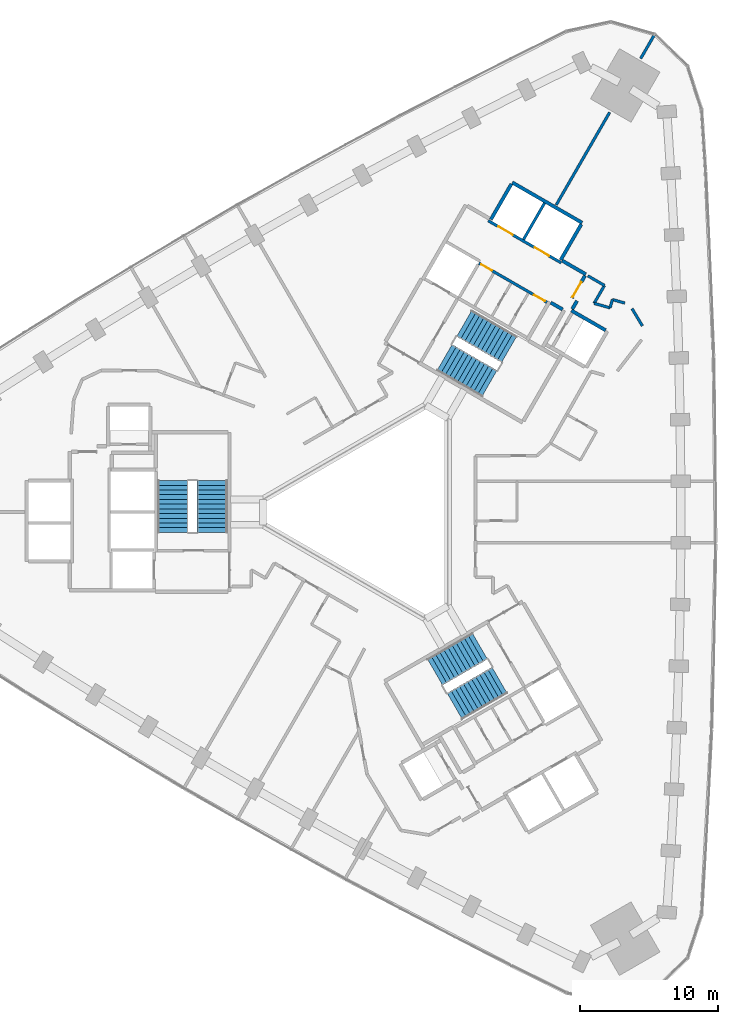
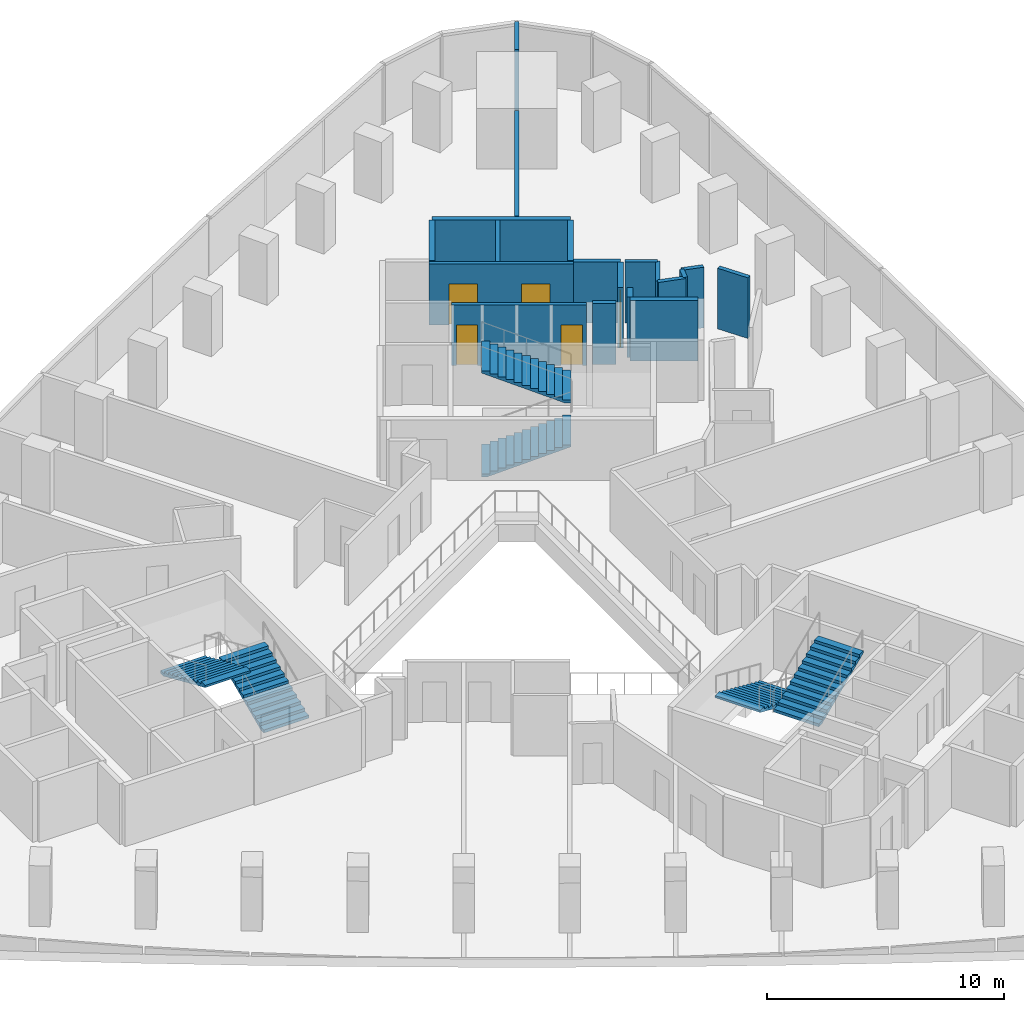
# One storey, part 12 of 13: 19 walls, 6 stair flights, 5 doors, 5 openings, 3 elements without a shape of their own.
"""IFC4 building model written with IfcOpenShell, lengths in metres."""

from ifc_helpers import new_model, si_unit, direction, frame, frame_2d, origin, place, context, subcontext, project, spatial, polyline, rectangle, outline, extrude, material, layer, layer_set, type_object, element, fill, aggregate, save


model = new_model("IFC4")

# Units and contexts
model_context = context("Model", 3, precision=1e-05, world=origin(), true_north=direction((0.0, 1.0)))
body_context = subcontext(model_context, "Body", "Model", "MODEL_VIEW")
ifc_project = project(units=[si_unit("LENGTHUNIT", "METRE"), si_unit("AREAUNIT", "SQUARE_METRE"), si_unit("VOLUMEUNIT", "CUBIC_METRE"), si_unit("PLANEANGLEUNIT", "RADIAN"), si_unit("MASSUNIT", "GRAM", prefix="KILO")], contexts=[model_context])

# Site, building, storey
site_placement = place(None, origin())
site = spatial("IfcSite", under=ifc_project, at=site_placement, CompositionType="ELEMENT")
building_placement = place(site_placement, origin())
building = spatial("IfcBuilding", under=site, at=building_placement, Name="Tamra Quay Hotel Tower", CompositionType="ELEMENT")
storey_placement = place(building_placement, frame((0.0, 0.0, 49.39990234375)))
storey = spatial("IfcBuildingStorey", under=building, at=storey_placement, Name="L10", CompositionType="ELEMENT", Elevation=49.39990234375)

# Wall, openings, doors
ifc_material_1 = material(Name="Concrete M70", Category="concrete")
ifc_layer_1 = layer(ifc_material_1, 0.199951171875)
ifc_layer_set_1 = layer_set([ifc_layer_1], Name="Concrete M70 core wall 200")
wall_type_1 = type_object("IfcWallType", Name="Concrete M70 core wall 200", PredefinedType="SHEAR", material=ifc_layer_set_1)
wall_1_placement = place(storey_placement, frame((13.209716796875, 18.07958984375, 0.0), z_axis=(0.0, 0.0, 1.0), x_axis=(-0.866030299012, 0.499991521122, 0.0)))
wall_1 = element("IfcWall", 1, at=wall_1_placement, inside=storey, type_object=wall_type_1, Name="CW2", PredefinedType="SHEAR", context=body_context, shape_type="SweptSolid", body=[
    extrude(rectangle(XDim=6.10009765625, YDim=0.199951171875, at=frame_2d((3.050048828125, 0.0))), origin(), (0.0, 0.0, 1.0), 3.125),
])
opening_1_placement = place(wall_1_placement, frame((1.0, 0.0, 0.0)))
opening_1 = element("IfcOpeningElement", 2, at=opening_1_placement, cuts=wall_1, Name="Opening LD", PredefinedType="OPENING", context=body_context, shape_type="SweptSolid", body=[
    extrude(rectangle(XDim=1.199951171875, YDim=2.10009765625, at=frame_2d((0.60009765625, 1.050048828125))), frame((0.0, 0.10986328125, 0.0), z_axis=(0.0, -1.0, 0.0), x_axis=(1.0, 0.0, 0.0)), (0.0, 0.0, 1.0), 0.219970703125),
])
opening_2_placement = place(wall_1_placement, frame((4.05029296875, 0.0, 0.0)))
opening_2 = element("IfcOpeningElement", 3, at=opening_2_placement, cuts=wall_1, Name="Opening LD", PredefinedType="OPENING", context=body_context, shape_type="SweptSolid", body=[
    extrude(rectangle(XDim=1.199951171875, YDim=2.10009765625, at=frame_2d((0.60009765625, 1.050048828125))), frame((0.0, 0.10986328125, 0.0), z_axis=(0.0, -1.0, 0.0), x_axis=(1.0, 0.0, 0.0)), (0.0, 0.0, 1.0), 0.219970703125),
])
ifc_material_2 = material(Name="Landing door LD 1200 double door sliding")
door_type_1 = type_object("IfcDoorType", Name="Landing door LD 1200 double door sliding", OperationType="DOUBLE_DOOR_SLIDING", PredefinedType="DOOR", material=ifc_material_2)
door_1_placement = place(opening_1_placement, origin())
door_1 = element("IfcDoor", 4, at=door_1_placement, inside=storey, type_object=door_type_1, Name="LD", OperationType="DOUBLE_DOOR_SLIDING", OverallHeight=2.10009765625, OverallWidth=1.199951171875, PredefinedType="DOOR", context=body_context, shape_type="SweptSolid", body=[
    extrude(rectangle(XDim=1.199951171875, YDim=2.10009765625, at=frame_2d((0.60009765625, 1.050048828125))), frame((0.0, 0.02490234375, 0.0), z_axis=(0.0, -1.0, 0.0), x_axis=(1.0, 0.0, 0.0)), (0.0, 0.0, 1.0), 0.050048828125),
])
fill(opening_1, door_1)
door_2_placement = place(opening_2_placement, origin())
door_2 = element("IfcDoor", 5, at=door_2_placement, inside=storey, type_object=door_type_1, Name="LD", OperationType="DOUBLE_DOOR_SLIDING", OverallHeight=2.10009765625, OverallWidth=1.199951171875, PredefinedType="DOOR", context=body_context, shape_type="SweptSolid", body=[
    extrude(rectangle(XDim=1.199951171875, YDim=2.10009765625, at=frame_2d((0.60009765625, 1.050048828125))), frame((0.0, 0.02490234375, 0.0), z_axis=(0.0, -1.0, 0.0), x_axis=(1.0, 0.0, 0.0)), (0.0, 0.0, 1.0), 0.050048828125),
])
fill(opening_2, door_2)

wall_2_placement = place(storey_placement, frame((12.18505859375, 15.20703125, 0.0), z_axis=(0.0, 0.0, 1.0), x_axis=(-0.866020080793, 0.500009219579, 0.0)))
wall_2 = element("IfcWall", 6, at=wall_2_placement, inside=storey, type_object=wall_type_1, Name="CW2", PredefinedType="SHEAR", context=body_context, shape_type="SweptSolid", body=[
    extrude(rectangle(XDim=5.69921875, YDim=0.199951171875, at=frame_2d((2.849609375, 0.0))), origin(), (0.0, 0.0, 1.0), 3.125),
])
opening_3_placement = place(wall_2_placement, frame((0.174072265625, 0.0, 0.0)))
opening_3 = element("IfcOpeningElement", 7, at=opening_3_placement, cuts=wall_2, Name="Opening D2", PredefinedType="OPENING", context=body_context, shape_type="SweptSolid", body=[
    extrude(rectangle(XDim=0.89990234375, YDim=2.10009765625, at=frame_2d((0.449951171875, 1.050048828125))), frame((0.0, 0.10986328125, 0.0), z_axis=(0.0, -1.0, 0.0), x_axis=(1.0, 0.0, 0.0)), (0.0, 0.0, 1.0), 0.219970703125),
])
opening_4_placement = place(wall_2_placement, frame((4.59912109375, 0.0, 0.0)))
opening_4 = element("IfcOpeningElement", 8, at=opening_4_placement, cuts=wall_2, Name="Opening D2", PredefinedType="OPENING", context=body_context, shape_type="SweptSolid", body=[
    extrude(rectangle(XDim=0.89990234375, YDim=2.10009765625, at=frame_2d((0.449951171875, 1.050048828125))), frame((0.0, 0.10986328125, 0.0), z_axis=(0.0, -1.0, 0.0), x_axis=(1.0, 0.0, 0.0)), (0.0, 0.0, 1.0), 0.219970703125),
])
ifc_material_3 = material(Name="Core door D2 900x2100 LH")
door_type_2 = type_object("IfcDoorType", Name="Core door D2 900x2100 LH", OperationType="NOTDEFINED", PredefinedType="DOOR", material=ifc_material_3)
door_3_placement = place(opening_3_placement, origin())
door_3 = element("IfcDoor", 9, at=door_3_placement, inside=storey, type_object=door_type_2, Name="D2", OperationType="SINGLE_SWING_LEFT", OverallHeight=2.10009765625, OverallWidth=0.89990234375, PredefinedType="DOOR", context=body_context, shape_type="SweptSolid", body=[
    extrude(rectangle(XDim=0.89990234375, YDim=2.10009765625, at=frame_2d((0.449951171875, 1.050048828125))), frame((0.0, 0.02490234375, 0.0), z_axis=(0.0, -1.0, 0.0), x_axis=(1.0, 0.0, 0.0)), (0.0, 0.0, 1.0), 0.050048828125),
])
fill(opening_3, door_3)
ifc_material_4 = material(Name="Core door D2 900x2100 RH")
door_type_3 = type_object("IfcDoorType", Name="Core door D2 900x2100 RH", OperationType="NOTDEFINED", PredefinedType="DOOR", material=ifc_material_4)
door_4_placement = place(opening_4_placement, origin())
door_4 = element("IfcDoor", 10, at=door_4_placement, inside=storey, type_object=door_type_3, Name="D2", OperationType="SINGLE_SWING_RIGHT", OverallHeight=2.10009765625, OverallWidth=0.89990234375, PredefinedType="DOOR", context=body_context, shape_type="SweptSolid", body=[
    extrude(rectangle(XDim=0.89990234375, YDim=2.10009765625, at=frame_2d((0.449951171875, 1.050048828125))), frame((0.0, 0.02490234375, 0.0), z_axis=(0.0, -1.0, 0.0), x_axis=(1.0, 0.0, 0.0)), (0.0, 0.0, 1.0), 0.050048828125),
])
fill(opening_4, door_4)

# Walls
wall_3_placement = place(storey_placement, frame((10.48876953125, 19.76708984375, 0.0), z_axis=(0.0, 0.0, 1.0), x_axis=(0.499946628782, 0.866056215479, 0.0)))
element("IfcWall", 11, at=wall_3_placement, inside=storey, type_object=wall_type_1, Name="CW2", PredefinedType="SHEAR", context=body_context, shape_type="SweptSolid", body=[
    extrude(rectangle(XDim=3.048095703125, YDim=0.199951171875, at=frame_2d((1.52392578125, 0.0))), origin(), (0.0, 0.0, 1.0), 3.125),
])
ifc_layer_2 = layer(ifc_material_1, 0.25)
ifc_layer_set_2 = layer_set([ifc_layer_2], Name="Concrete M70 core wall 250")
wall_type_2 = type_object("IfcWallType", Name="Concrete M70 core wall 250", PredefinedType="SHEAR", material=ifc_layer_set_2)
wall_4_placement = place(storey_placement, frame((9.672607421875, 23.9033203125, 0.0), z_axis=(0.0, 0.0, 1.0), x_axis=(0.86603616409, -0.499981362141, 0.0)))
element("IfcWall", 12, at=wall_4_placement, inside=storey, type_object=wall_type_2, Name="CW1", PredefinedType="SHEAR", context=body_context, shape_type="SweptSolid", body=[
    extrude(rectangle(XDim=5.849853515625, YDim=0.25, at=frame_2d((2.9248046875, 0.0))), origin(), (0.0, 0.0, 1.0), 3.125),
])
for number, where, z_axis, x_axis, name in (
    (13, (8.12255859375, 21.21875, 0.0), (0.0, 0.0, 1.0), (0.499987686533, 0.866032512851, 0.0), "CW1"),
    (14, (14.67626953125, 20.869873046875, 0.0), (0.0, 0.0, 1.0), (-0.499987686533, -0.866032512851, 0.0), "CW1"),
):
    element("IfcWall", number, at=place(storey_placement, frame(where, z_axis=z_axis, x_axis=x_axis)), inside=storey, type_object=wall_type_2, Name=name, PredefinedType="SHEAR", context=body_context, shape_type="SweptSolid", body=[
        extrude(rectangle(XDim=2.974609375, YDim=0.25, at=frame_2d((1.4873046875, 0.0))), origin(), (0.0, 0.0, 1.0), 3.125),
    ])
wall_5_placement = place(storey_placement, frame((13.962646484375, 14.61376953125, 0.0), z_axis=(0.0, 0.0, 1.0), x_axis=(0.866042235819, -0.499970844928, 0.0)))
element("IfcWall", 15, at=wall_5_placement, inside=storey, type_object=wall_type_2, Name="CW1", PredefinedType="SHEAR", context=body_context, shape_type="SweptSolid", body=[
    extrude(rectangle(XDim=2.864501953125, YDim=0.25, at=frame_2d((1.43212890625, 0.0))), origin(), (0.0, 0.0, 1.0), 3.125),
])
wall_6_placement = place(storey_placement, frame((13.29736328125, 18.23095703125, 0.0), z_axis=(0.0, 0.0, 1.0), x_axis=(0.866043531843, -0.499968599967, 0.0)))
element("IfcWall", 16, at=wall_6_placement, inside=storey, type_object=wall_type_2, Name="CW1", PredefinedType="SHEAR", context=body_context, shape_type="SweptSolid", body=[
    extrude(rectangle(XDim=1.974853515625, YDim=0.25, at=frame_2d((0.9873046875, 0.0))), origin(), (0.0, 0.0, 1.0), 3.125),
])

# Wall, opening, door
wall_7_placement = place(storey_placement, frame((14.94482421875, 17.13525390625, 0.0), z_axis=(0.0, 0.0, 1.0), x_axis=(-0.499983108224, -0.866035156036, 0.0)))
wall_7 = element("IfcWall", 17, at=wall_7_placement, inside=storey, type_object=wall_type_2, Name="CW1", PredefinedType="SHEAR", context=body_context, shape_type="SweptSolid", body=[
    extrude(rectangle(XDim=1.86474609375, YDim=0.25, at=frame_2d((0.932373046875, 0.0))), origin(), (0.0, 0.0, 1.0), 3.125),
])
opening_5_placement = place(wall_7_placement, frame((0.53466796875, 0.0, 0.0)))
opening_5 = element("IfcOpeningElement", 18, at=opening_5_placement, cuts=wall_7, Name="Opening FD3", PredefinedType="OPENING", context=body_context, shape_type="SweptSolid", body=[
    extrude(rectangle(XDim=1.25, YDim=2.10009765625, at=frame_2d((0.625, 1.050048828125))), frame((0.0, 0.135009765625, 0.0), z_axis=(0.0, -1.0, 0.0), x_axis=(1.0, 0.0, 0.0)), (0.0, 0.0, 1.0), 0.27001953125),
])
ifc_material_5 = material(Name="Core door FD3 1250x2100 LH")
door_type_4 = type_object("IfcDoorType", Name="Core door FD3 1250x2100 LH", OperationType="NOTDEFINED", PredefinedType="DOOR", material=ifc_material_5)
door_5_placement = place(opening_5_placement, origin())
door_5 = element("IfcDoor", 19, at=door_5_placement, inside=storey, type_object=door_type_4, Name="FD3", OperationType="SINGLE_SWING_LEFT", OverallHeight=2.10009765625, OverallWidth=1.25, PredefinedType="DOOR", context=body_context, shape_type="SweptSolid", body=[
    extrude(rectangle(XDim=1.25, YDim=2.10009765625, at=frame_2d((0.625, 1.050048828125))), frame((0.0, 0.02490234375, 0.0), z_axis=(0.0, -1.0, 0.0), x_axis=(1.0, 0.0, 0.0)), (0.0, 0.0, 1.0), 0.050048828125),
])
fill(opening_5, door_5)

# Walls
wall_8_placement = place(storey_placement, frame((13.322021484375, 14.695068359375, 0.0), z_axis=(0.0, 0.0, 1.0), x_axis=(-0.866017078145, 0.500014420154, 0.0)))
element("IfcWall", 20, at=wall_8_placement, inside=storey, type_object=wall_type_2, Name="CW1", PredefinedType="SHEAR", context=body_context, shape_type="SweptSolid", body=[
    extrude(rectangle(XDim=0.9892578125, YDim=0.25, at=frame_2d((0.49462890625, 0.0))), origin(), (0.0, 0.0, 1.0), 3.125),
])
wall_9_placement = place(storey_placement, frame((14.36767578125, 15.3154296875, 0.0), z_axis=(0.0, 0.0, 1.0), x_axis=(-0.499897359611, -0.866084655132, 0.0)))
element("IfcWall", 21, at=wall_9_placement, inside=storey, type_object=wall_type_2, Name="CW1", PredefinedType="SHEAR", context=body_context, shape_type="SweptSolid", body=[
    extrude(rectangle(XDim=0.684814453125, YDim=0.25, at=frame_2d((0.34228515625, 0.0))), origin(), (0.0, 0.0, 1.0), 3.125),
])
ifc_material_6 = material(Name="Partition corridor wall")
ifc_layer_3 = layer(ifc_material_6, 0.199951171875)
ifc_layer_set_3 = layer_set([ifc_layer_3], Name="Partition corridor wall")
wall_type_3 = type_object("IfcWallType", Name="Partition corridor wall", PredefinedType="PARTITIONING", material=ifc_layer_set_3)
wall_10_placement = place(storey_placement, frame((15.155517578125, 17.130126953125, 0.0), z_axis=(0.0, 0.0, 1.0), x_axis=(0.865755062894, -0.500467952093, 0.0)))
element("IfcWall", 22, at=wall_10_placement, inside=storey, type_object=wall_type_3, Name="W-C", PredefinedType="PARTITIONING", context=body_context, shape_type="SweptSolid", body=[
    extrude(rectangle(XDim=1.388916015625, YDim=0.199951171875, at=frame_2d((0.6943359375, 0.0))), origin(), (0.0, 0.0, 1.0), 3.125),
])
wall_11_placement = place(storey_placement, frame((15.60888671875, 15.135986328125, 0.0), z_axis=(0.0, 0.0, 1.0), x_axis=(0.499501622561, 0.866312950993, 0.0)))
element("IfcWall", 23, at=wall_11_placement, inside=storey, type_object=wall_type_3, Name="W-C", PredefinedType="PARTITIONING", context=body_context, shape_type="SweptSolid", body=[
    extrude(rectangle(XDim=1.49951171875, YDim=0.199951171875, at=frame_2d((0.749755859375, 0.0))), origin(), (0.0, 0.0, 1.0), 3.125),
])
wall_12_placement = place(storey_placement, frame((15.60888671875, 15.135986328125, 0.0), z_axis=(0.0, 0.0, 1.0), x_axis=(0.961662011825, -0.274237442763, 0.0)))
element("IfcWall", 24, at=wall_12_placement, inside=storey, type_object=wall_type_3, Name="W-C", PredefinedType="PARTITIONING", context=body_context, shape_type="SweptSolid", body=[
    extrude(rectangle(XDim=1.199951171875, YDim=0.199951171875, at=frame_2d((0.60009765625, 0.0))), origin(), (0.0, 0.0, 1.0), 3.125),
])
wall_13_placement = place(storey_placement, frame((16.762939453125, 14.806884765625, 0.0), z_axis=(0.0, 0.0, 1.0), x_axis=(0.274464026122, 0.961597368115, 0.0)))
element("IfcWall", 25, at=wall_13_placement, inside=storey, type_object=wall_type_3, Name="W-C", PredefinedType="PARTITIONING", context=body_context, shape_type="SweptSolid", body=[
    extrude(rectangle(XDim=0.627197265625, YDim=0.199951171875, at=frame_2d((0.3134765625, 0.0))), origin(), (0.0, 0.0, 1.0), 3.125),
])
wall_14_placement = place(storey_placement, frame((16.93505859375, 15.409912109375, 0.0), z_axis=(0.0, 0.0, 1.0), x_axis=(0.961602664273, -0.274445470107, 0.0)))
element("IfcWall", 26, at=wall_14_placement, inside=storey, type_object=wall_type_3, Name="W-C", PredefinedType="PARTITIONING", context=body_context, shape_type="SweptSolid", body=[
    extrude(rectangle(XDim=0.935791015625, YDim=0.199951171875, at=frame_2d((0.4677734375, 0.0))), origin(), (0.0, 0.0, 1.0), 3.125),
])
wall_15_placement = place(storey_placement, frame((18.360107421875, 14.7509765625, 0.0), z_axis=(0.0, 0.0, 1.0), x_axis=(0.514495755428, -0.857492925713, 0.0)))
element("IfcWall", 27, at=wall_15_placement, inside=storey, type_object=wall_type_3, Name="W-C", PredefinedType="PARTITIONING", context=body_context, shape_type="SweptSolid", body=[
    extrude(rectangle(XDim=1.457763671875, YDim=0.199951171875, at=frame_2d((0.72900390625, 0.0))), origin(), (0.0, 0.0, 1.0), 3.125),
])
ifc_material_7 = material(Name="Partition party wall")
ifc_layer_4 = layer(ifc_material_7, 0.199951171875)
ifc_layer_set_4 = layer_set([ifc_layer_4], Name="Partition party wall")
wall_type_4 = type_object("IfcWallType", Name="Partition party wall", PredefinedType="PARTITIONING", material=ifc_layer_set_4)
wall_16_placement = place(storey_placement, frame((12.861083984375, 22.276123046875, 0.0), z_axis=(0.0, 0.0, 1.0), x_axis=(0.499824227645, 0.86612686222, 0.0)))
element("IfcWall", 28, at=wall_16_placement, inside=storey, type_object=wall_type_4, Name="W-P", PredefinedType="PARTITIONING", context=body_context, shape_type="SweptSolid", body=[
    extrude(rectangle(XDim=7.752685546875, YDim=0.199951171875, at=frame_2d((3.87646484375, 0.0))), origin(), (0.0, 0.0, 1.0), 3.125),
])
wall_17_placement = place(storey_placement, frame((18.987060546875, 32.89208984375, 0.0), z_axis=(0.0, 0.0, 1.0), x_axis=(0.499812681335, 0.866133525259, 0.0)))
element("IfcWall", 29, at=wall_17_placement, inside=storey, type_object=wall_type_4, Name="W-P", PredefinedType="PARTITIONING", context=body_context, shape_type="SweptSolid", body=[
    extrude(rectangle(XDim=2.030029296875, YDim=0.199951171875, at=frame_2d((1.01513671875, 0.0))), origin(), (0.0, 0.0, 1.0), 3.125),
])

# Stair, stair flights
ifc_material_8 = material(Name="Exit stair 2200 24 risers 150.0 going 342")
stair_type = type_object("IfcStairType", Name="Exit stair 2200 24 risers 150.0 going 342", PredefinedType="HALF_TURN_STAIR", material=ifc_material_8)
stair_1_placement = place(storey_placement, origin())
stair_1 = element("IfcStair", 30, at=stair_1_placement, inside=storey, type_object=stair_type, Name="L10 Exit stair ST3", PredefinedType="HALF_TURN_STAIR")
ifc_material_9 = material(Name="Exit stair flight 2200 12 risers 150.0")
stair_flight_type = type_object("IfcStairFlightType", Name="Exit stair flight 2200 12 risers 150.0", PredefinedType="STRAIGHT", material=ifc_material_9)
stair_flight_1_placement = place(storey_placement, frame((-12.082275390625, -1.47998046875, 0.0), z_axis=(0.0, 0.0, 1.0), x_axis=(0.0, 1.0, 0.0)))
stair_flight_1 = element("IfcStairFlight", 31, at=stair_flight_1_placement, type_object=stair_flight_type, Name="ST3 flight 1", NumberOfRisers=12, NumberOfTreads=11, PredefinedType="STRAIGHT", RiserHeight=0.15, TreadLength=0.342, context=body_context, shape_type="SweptSolid", body=[
    extrude(outline(polyline([(0.0, 0.0), (0.0, 0.14990234375), (0.342041015625, 0.14990234375), (0.342041015625, 0.300048828125), (0.68408203125, 0.300048828125), (0.68408203125, 0.449951171875), (1.02587890625, 0.449951171875), (1.02587890625, 0.60009765625), (1.367919921875, 0.60009765625), (1.367919921875, 0.75), (1.7099609375, 0.75), (1.7099609375, 0.89990234375), (2.052001953125, 0.89990234375), (2.052001953125, 1.050048828125), (2.39404296875, 1.050048828125), (2.39404296875, 1.199951171875), (2.736083984375, 1.199951171875), (2.736083984375, 1.35009765625), (3.077880859375, 1.35009765625), (3.077880859375, 1.5), (3.419921875, 1.5), (3.419921875, 1.64990234375), (3.761962890625, 1.64990234375), (3.761962890625, 1.800048828125), (3.761962890625, 1.540771484375), (0.249267578125, 0.0), (0.0, 0.0)])), frame((0.0, 1.10009765625, 0.0), z_axis=(0.0, -1.0, 0.0), x_axis=(1.0, 0.0, 0.0)), (0.0, 0.0, 1.0), 2.199951171875),
])
stair_flight_2_placement = place(storey_placement, frame((-14.94140625, 2.281982421875, 1.800048828125), z_axis=(0.0, 0.0, 1.0), x_axis=(0.0, -1.0, 0.0)))
stair_flight_2 = element("IfcStairFlight", 32, at=stair_flight_2_placement, type_object=stair_flight_type, Name="ST3 flight 2", NumberOfRisers=12, NumberOfTreads=11, PredefinedType="STRAIGHT", RiserHeight=0.15, TreadLength=0.342, context=body_context, shape_type="SweptSolid", body=[
    extrude(outline(polyline([(0.0, 0.0), (0.0, 0.14990234375), (0.342041015625, 0.14990234375), (0.342041015625, 0.300048828125), (0.68408203125, 0.300048828125), (0.68408203125, 0.449951171875), (1.02587890625, 0.449951171875), (1.02587890625, 0.60009765625), (1.367919921875, 0.60009765625), (1.367919921875, 0.75), (1.7099609375, 0.75), (1.7099609375, 0.89990234375), (2.052001953125, 0.89990234375), (2.052001953125, 1.050048828125), (2.39404296875, 1.050048828125), (2.39404296875, 1.199951171875), (2.736083984375, 1.199951171875), (2.736083984375, 1.35009765625), (3.077880859375, 1.35009765625), (3.077880859375, 1.5), (3.419921875, 1.5), (3.419921875, 1.64990234375), (3.761962890625, 1.64990234375), (3.761962890625, 1.800048828125), (3.761962890625, 1.540771484375), (0.249267578125, 0.0), (0.0, 0.0)])), frame((0.0, 1.10009765625, 0.0), z_axis=(0.0, -1.0, 0.0), x_axis=(1.0, 0.0, 0.0)), (0.0, 0.0, 1.0), 2.199951171875),
])
aggregate(stair_1, [stair_flight_1, stair_flight_2])

stair_2_placement = place(storey_placement, origin())
stair_2 = element("IfcStair", 33, at=stair_2_placement, inside=storey, type_object=stair_type, Name="L10 Exit stair ST1", PredefinedType="HALF_TURN_STAIR")
stair_flight_3_placement = place(storey_placement, frame((4.75927734375, 11.20361328125, 0.0), z_axis=(0.0, 0.0, 1.0), x_axis=(0.866025403784, -0.5, 0.0)))
stair_flight_3 = element("IfcStairFlight", 34, at=stair_flight_3_placement, type_object=stair_flight_type, Name="ST1 flight 1", NumberOfRisers=12, NumberOfTreads=11, PredefinedType="STRAIGHT", RiserHeight=0.15, TreadLength=0.342, context=body_context, shape_type="SweptSolid", body=[
    extrude(outline(polyline([(0.0, 0.0), (0.0, 0.14990234375), (0.342041015625, 0.14990234375), (0.342041015625, 0.300048828125), (0.68408203125, 0.300048828125), (0.68408203125, 0.449951171875), (1.02587890625, 0.449951171875), (1.02587890625, 0.60009765625), (1.367919921875, 0.60009765625), (1.367919921875, 0.75), (1.7099609375, 0.75), (1.7099609375, 0.89990234375), (2.052001953125, 0.89990234375), (2.052001953125, 1.050048828125), (2.39404296875, 1.050048828125), (2.39404296875, 1.199951171875), (2.736083984375, 1.199951171875), (2.736083984375, 1.35009765625), (3.077880859375, 1.35009765625), (3.077880859375, 1.5), (3.419921875, 1.5), (3.419921875, 1.64990234375), (3.761962890625, 1.64990234375), (3.761962890625, 1.800048828125), (3.761962890625, 1.540771484375), (0.249267578125, 0.0), (0.0, 0.0)])), frame((0.0, 1.10009765625, 0.0), z_axis=(0.0, -1.0, 0.0), x_axis=(1.0, 0.0, 0.0)), (0.0, 0.0, 1.0), 2.199951171875),
])
stair_flight_4_placement = place(storey_placement, frame((9.44677734375, 11.798583984375, 1.800048828125), z_axis=(0.0, 0.0, 1.0), x_axis=(-0.866025403784, 0.5, 0.0)))
stair_flight_4 = element("IfcStairFlight", 35, at=stair_flight_4_placement, type_object=stair_flight_type, Name="ST1 flight 2", NumberOfRisers=12, NumberOfTreads=11, PredefinedType="STRAIGHT", RiserHeight=0.15, TreadLength=0.342, context=body_context, shape_type="SweptSolid", body=[
    extrude(outline(polyline([(0.0, 0.0), (0.0, 0.14990234375), (0.342041015625, 0.14990234375), (0.342041015625, 0.300048828125), (0.68408203125, 0.300048828125), (0.68408203125, 0.449951171875), (1.02587890625, 0.449951171875), (1.02587890625, 0.60009765625), (1.367919921875, 0.60009765625), (1.367919921875, 0.75), (1.7099609375, 0.75), (1.7099609375, 0.89990234375), (2.052001953125, 0.89990234375), (2.052001953125, 1.050048828125), (2.39404296875, 1.050048828125), (2.39404296875, 1.199951171875), (2.736083984375, 1.199951171875), (2.736083984375, 1.35009765625), (3.077880859375, 1.35009765625), (3.077880859375, 1.5), (3.419921875, 1.5), (3.419921875, 1.64990234375), (3.761962890625, 1.64990234375), (3.761962890625, 1.800048828125), (3.761962890625, 1.540771484375), (0.249267578125, 0.0), (0.0, 0.0)])), frame((0.0, 1.10009765625, 0.0), z_axis=(0.0, -1.0, 0.0), x_axis=(1.0, 0.0, 0.0)), (0.0, 0.0, 1.0), 2.199951171875),
])
aggregate(stair_2, [stair_flight_3, stair_flight_4])

stair_3_placement = place(storey_placement, origin())
stair_3 = element("IfcStair", 36, at=stair_3_placement, inside=storey, type_object=stair_type, Name="L10 Exit stair ST2", PredefinedType="HALF_TURN_STAIR")
stair_flight_5_placement = place(storey_placement, frame((7.322998046875, -9.7236328125, 0.0), z_axis=(0.0, 0.0, 1.0), x_axis=(-0.866025403784, -0.5, 0.0)))
stair_flight_5 = element("IfcStairFlight", 37, at=stair_flight_5_placement, type_object=stair_flight_type, Name="ST2 flight 1", NumberOfRisers=12, NumberOfTreads=11, PredefinedType="STRAIGHT", RiserHeight=0.15, TreadLength=0.342, context=body_context, shape_type="SweptSolid", body=[
    extrude(outline(polyline([(0.0, 0.0), (0.0, 0.14990234375), (0.342041015625, 0.14990234375), (0.342041015625, 0.300048828125), (0.68408203125, 0.300048828125), (0.68408203125, 0.449951171875), (1.02587890625, 0.449951171875), (1.02587890625, 0.60009765625), (1.367919921875, 0.60009765625), (1.367919921875, 0.75), (1.7099609375, 0.75), (1.7099609375, 0.89990234375), (2.052001953125, 0.89990234375), (2.052001953125, 1.050048828125), (2.39404296875, 1.050048828125), (2.39404296875, 1.199951171875), (2.736083984375, 1.199951171875), (2.736083984375, 1.35009765625), (3.077880859375, 1.35009765625), (3.077880859375, 1.5), (3.419921875, 1.5), (3.419921875, 1.64990234375), (3.761962890625, 1.64990234375), (3.761962890625, 1.800048828125), (3.761962890625, 1.540771484375), (0.249267578125, 0.0), (0.0, 0.0)])), frame((0.0, 1.10009765625, 0.0), z_axis=(0.0, -1.0, 0.0), x_axis=(1.0, 0.0, 0.0)), (0.0, 0.0, 1.0), 2.199951171875),
])
stair_flight_6_placement = place(storey_placement, frame((5.494384765625, -14.08056640625, 1.800048828125), z_axis=(0.0, 0.0, 1.0), x_axis=(0.866025403784, 0.5, 0.0)))
stair_flight_6 = element("IfcStairFlight", 38, at=stair_flight_6_placement, type_object=stair_flight_type, Name="ST2 flight 2", NumberOfRisers=12, NumberOfTreads=11, PredefinedType="STRAIGHT", RiserHeight=0.15, TreadLength=0.342, context=body_context, shape_type="SweptSolid", body=[
    extrude(outline(polyline([(0.0, 0.0), (0.0, 0.14990234375), (0.342041015625, 0.14990234375), (0.342041015625, 0.300048828125), (0.68408203125, 0.300048828125), (0.68408203125, 0.449951171875), (1.02587890625, 0.449951171875), (1.02587890625, 0.60009765625), (1.367919921875, 0.60009765625), (1.367919921875, 0.75), (1.7099609375, 0.75), (1.7099609375, 0.89990234375), (2.052001953125, 0.89990234375), (2.052001953125, 1.050048828125), (2.39404296875, 1.050048828125), (2.39404296875, 1.199951171875), (2.736083984375, 1.199951171875), (2.736083984375, 1.35009765625), (3.077880859375, 1.35009765625), (3.077880859375, 1.5), (3.419921875, 1.5), (3.419921875, 1.64990234375), (3.761962890625, 1.64990234375), (3.761962890625, 1.800048828125), (3.761962890625, 1.540771484375), (0.249267578125, 0.0), (0.0, 0.0)])), frame((0.0, 1.10009765625, 0.0), z_axis=(0.0, -1.0, 0.0), x_axis=(1.0, 0.0, 0.0)), (0.0, 0.0, 1.0), 2.199951171875),
])
aggregate(stair_3, [stair_flight_5, stair_flight_6])

save(model, "model.ifc")
